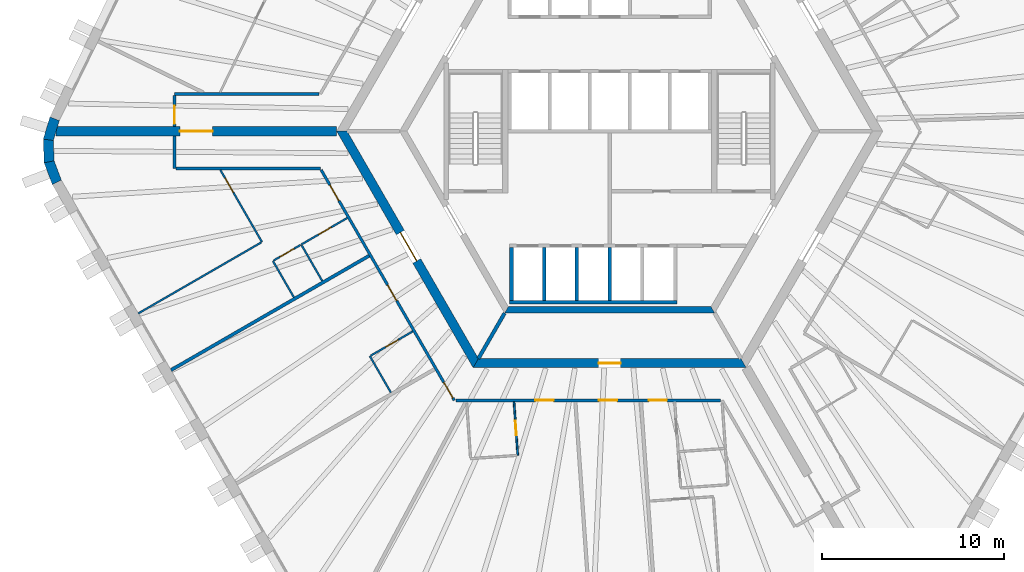
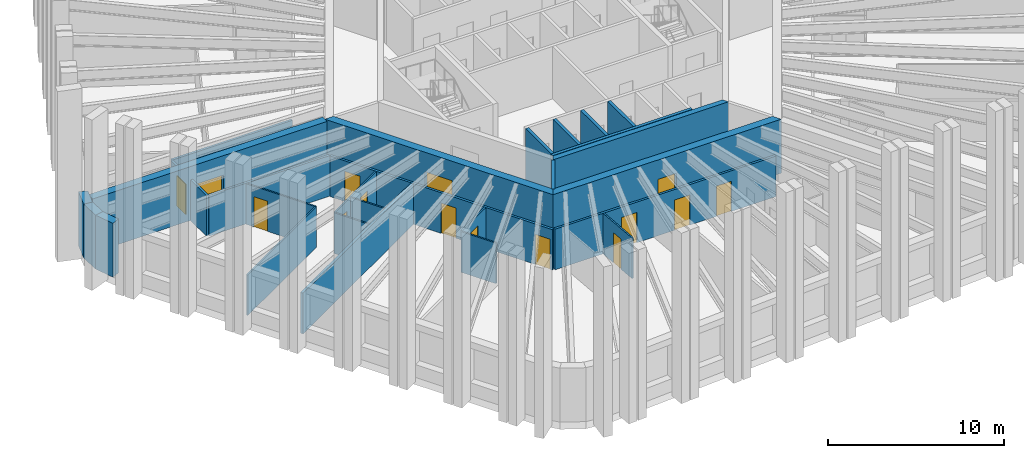
# One storey, part 3 of 10: 29 walls, 15 doors, 15 openings.
"""IFC4 building model written with IfcOpenShell, lengths in metres."""

from ifc_helpers import new_model, si_unit, direction, frame, frame_2d, origin, place, context, subcontext, project, spatial, polyline, rectangle, outline, extrude, material, layer, layer_set, type_object, element, fill, save


model = new_model("IFC4")

# Units and contexts
model_context = context("Model", 3, precision=1e-05, world=origin(), true_north=direction((0.0, 1.0)))
body_context = subcontext(model_context, "Body", "Model", "MODEL_VIEW")
ifc_project = project(units=[si_unit("LENGTHUNIT", "METRE"), si_unit("AREAUNIT", "SQUARE_METRE"), si_unit("VOLUMEUNIT", "CUBIC_METRE"), si_unit("PLANEANGLEUNIT", "RADIAN"), si_unit("MASSUNIT", "GRAM", prefix="KILO")], contexts=[model_context])

# Site, building, storey
site_placement = place(None, origin())
site = spatial("IfcSite", under=ifc_project, at=site_placement, CompositionType="ELEMENT")
building_placement = place(site_placement, origin())
building = spatial("IfcBuilding", under=site, at=building_placement, Name="Tarnside Tower", CompositionType="ELEMENT")
storey_placement = place(building_placement, frame((0.0, 0.0, 152.699951171875)))
storey = spatial("IfcBuildingStorey", under=building, at=storey_placement, Name="L35", CompositionType="ELEMENT", Elevation=152.699951171875)

# Wall, opening, door
ifc_material_1 = material(Name="Gypsum board partition on steel studs", Category="steel")
ifc_layer_1 = layer(ifc_material_1, 0.10009765625)
ifc_layer_set_1 = layer_set([ifc_layer_1], Name="Bathroom wall 100")
wall_type_1 = type_object("IfcWallType", Name="Bathroom wall 100", PredefinedType="PARTITIONING", material=ifc_layer_set_1)
wall_1_placement = place(storey_placement, frame((-16.956298828125, -6.230712890625, 0.0), z_axis=(0.0, 0.0, 1.0), x_axis=(0.866046596414, 0.499963291492, 0.0)))
wall_1 = element("IfcWall", 1, at=wall_1_placement, inside=storey, type_object=wall_type_1, Name="Bathroom wall 11066", PredefinedType="PARTITIONING", context=body_context, shape_type="SweptSolid", body=[
    extrude(rectangle(XDim=2.925048828125, YDim=0.10009765625, at=frame_2d((1.46240234375, 0.0))), origin(), (0.0, 0.0, 1.0), 2.823486328125),
])
opening_1_placement = place(wall_1_placement, frame((1.10009765625, 0.0, 0.0)))
opening_1 = element("IfcOpeningElement", 2, at=opening_1_placement, cuts=wall_1, Name="Opening D-B1", PredefinedType="OPENING", context=body_context, shape_type="SweptSolid", body=[
    extrude(rectangle(XDim=0.800048828125, YDim=2.10009765625, at=frame_2d((0.39990234375, 1.050048828125))), frame((0.0, 0.06005859375, 0.0), z_axis=(0.0, -1.0, 0.0), x_axis=(1.0, 0.0, 0.0)), (0.0, 0.0, 1.0), 0.1201171875),
])
ifc_material_2 = material(Name="Timber door leaf", Category="wood")
door_type_1 = type_object("IfcDoorType", Name="Bathroom door 800", OperationType="NOTDEFINED", PredefinedType="DOOR", material=ifc_material_2)
door_1_placement = place(opening_1_placement, origin())
door_1 = element("IfcDoor", 3, at=door_1_placement, inside=storey, type_object=door_type_1, Name="Bathroom door 11012", OperationType="SINGLE_SWING_LEFT", OverallHeight=2.10009765625, OverallWidth=0.800048828125, PredefinedType="DOOR", context=body_context, shape_type="SweptSolid", body=[
    extrude(rectangle(XDim=0.800048828125, YDim=2.10009765625, at=frame_2d((0.39990234375, 1.050048828125))), frame((0.0, 0.02490234375, 0.0), z_axis=(0.0, -1.0, 0.0), x_axis=(1.0, 0.0, 0.0)), (0.0, 0.0, 1.0), 0.050048828125),
])
fill(opening_1, door_1)

# Walls
wall_2_placement = place(storey_placement, frame((-16.931396484375, -6.274169921875, 0.0), z_axis=(0.0, 0.0, 1.0), x_axis=(0.500077800282, -0.865980481111, 0.0)))
element("IfcWall", 4, at=wall_2_placement, inside=storey, type_object=wall_type_1, Name="Bathroom wall 11072", PredefinedType="PARTITIONING", context=body_context, shape_type="SweptSolid", body=[
    extrude(rectangle(XDim=2.260009765625, YDim=0.10009765625, at=frame_2d((1.1298828125, 0.0))), origin(), (0.0, 0.0, 1.0), 2.823486328125),
])
wall_3_placement = place(storey_placement, frame((-12.028076171875, -14.36669921875, 0.0), z_axis=(0.0, 0.0, 1.0), x_axis=(-0.500015210774, 0.866016621662, 0.0)))
element("IfcWall", 5, at=wall_3_placement, inside=storey, type_object=wall_type_1, Name="Bathroom wall 11075", PredefinedType="PARTITIONING", context=body_context, shape_type="SweptSolid", body=[
    extrude(rectangle(XDim=2.31005859375, YDim=0.10009765625, at=frame_2d((1.155029296875, 0.0))), origin(), (0.0, 0.0, 1.0), 2.823486328125),
])

# Wall, opening, door
wall_4_placement = place(storey_placement, frame((-13.139892578125, -12.341064453125, 0.0), z_axis=(0.0, 0.0, 1.0), x_axis=(0.86604424267, 0.499967368674, 0.0)))
wall_4 = element("IfcWall", 6, at=wall_4_placement, inside=storey, type_object=wall_type_1, Name="Bathroom wall 11076", PredefinedType="PARTITIONING", context=body_context, shape_type="SweptSolid", body=[
    extrude(rectangle(XDim=2.675048828125, YDim=0.10009765625, at=frame_2d((1.33740234375, 0.0))), origin(), (0.0, 0.0, 1.0), 2.823486328125),
])
opening_2_placement = place(wall_4_placement, frame((0.949951171875, 0.0, 0.0)))
opening_2 = element("IfcOpeningElement", 7, at=opening_2_placement, cuts=wall_4, Name="Opening D-B1", PredefinedType="OPENING", context=body_context, shape_type="SweptSolid", body=[
    extrude(rectangle(XDim=0.800048828125, YDim=2.10009765625, at=frame_2d((0.39990234375, 1.050048828125))), frame((0.0, 0.06005859375, 0.0), z_axis=(0.0, -1.0, 0.0), x_axis=(1.0, 0.0, 0.0)), (0.0, 0.0, 1.0), 0.1201171875),
])
door_2_placement = place(opening_2_placement, origin())
door_2 = element("IfcDoor", 8, at=door_2_placement, inside=storey, type_object=door_type_1, Name="Bathroom door 11016", OperationType="SINGLE_SWING_RIGHT", OverallHeight=2.10009765625, OverallWidth=0.800048828125, PredefinedType="DOOR", context=body_context, shape_type="SweptSolid", body=[
    extrude(rectangle(XDim=0.800048828125, YDim=2.10009765625, at=frame_2d((0.39990234375, 1.050048828125))), frame((0.0, 0.02490234375, 0.0), z_axis=(0.0, -1.0, 0.0), x_axis=(1.0, 0.0, 0.0)), (0.0, 0.0, 1.0), 0.050048828125),
])
fill(opening_2, door_2)

wall_5_placement = place(storey_placement, frame((-5.2578125, -14.875, 0.0), z_axis=(0.0, 0.0, 1.0), x_axis=(0.069812665072, -0.997560119389, 0.0)))
wall_5 = element("IfcWall", 9, at=wall_5_placement, inside=storey, type_object=wall_type_1, Name="Bathroom wall 11080", PredefinedType="PARTITIONING", context=body_context, shape_type="SweptSolid", body=[
    extrude(rectangle(XDim=2.951416015625, YDim=0.10009765625, at=frame_2d((1.4755859375, 0.0))), origin(), (0.0, 0.0, 1.0), 2.823486328125),
])
opening_3_placement = place(wall_5_placement, frame((1.051513671875, 0.0, 0.0)))
opening_3 = element("IfcOpeningElement", 10, at=opening_3_placement, cuts=wall_5, Name="Opening D-B1", PredefinedType="OPENING", context=body_context, shape_type="SweptSolid", body=[
    extrude(rectangle(XDim=0.800048828125, YDim=2.10009765625, at=frame_2d((0.39990234375, 1.050048828125))), frame((0.0, 0.06005859375, 0.0), z_axis=(0.0, -1.0, 0.0), x_axis=(1.0, 0.0, 0.0)), (0.0, 0.0, 1.0), 0.1201171875),
])
door_3_placement = place(opening_3_placement, origin())
door_3 = element("IfcDoor", 11, at=door_3_placement, inside=storey, type_object=door_type_1, Name="Bathroom door 11019", OperationType="SINGLE_SWING_LEFT", OverallHeight=2.10009765625, OverallWidth=0.800048828125, PredefinedType="DOOR", context=body_context, shape_type="SweptSolid", body=[
    extrude(rectangle(XDim=0.800048828125, YDim=2.10009765625, at=frame_2d((0.39990234375, 1.050048828125))), frame((0.0, 0.02490234375, 0.0), z_axis=(0.0, -1.0, 0.0), x_axis=(1.0, 0.0, 0.0)), (0.0, 0.0, 1.0), 0.050048828125),
])
fill(opening_3, door_3)

# Wall
ifc_material_3 = material(Name="Concrete C50/60", Category="concrete")
ifc_layer_2 = layer(ifc_material_3, 0.35009765625)
ifc_layer_set_2 = layer_set([ifc_layer_2], Name="Core block wall 350 C50/60")
wall_type_2 = type_object("IfcWallType", Name="Core block wall 350 C50/60", PredefinedType="SHEAR", material=ifc_layer_set_2)
wall_6_placement = place(storey_placement, frame((-5.672607421875, -9.824951171875, 0.0), z_axis=(0.0, 0.0, 1.0), x_axis=(1.0, 0.0, 0.0)))
element("IfcWall", 12, at=wall_6_placement, inside=storey, type_object=wall_type_2, Name="L35 core block wall face 4", PredefinedType="SHEAR", context=body_context, shape_type="SweptSolid", body=[
    extrude(outline(polyline([(-0.10107421875, -0.175048828125), (11.4462890625, -0.175048828125), (11.244140625, 0.175048828125), (0.10107421875, 0.175048828125), (-0.10107421875, -0.175048828125)])), origin(), (0.0, 0.0, 1.0), 3.75),
])

# Wall, opening, door
ifc_material_4 = material(Name="Concrete C70/85", Category="concrete")
ifc_layer_3 = layer(ifc_material_4, 0.5)
ifc_layer_set_3 = layer_set([ifc_layer_3], Name="Core wall Z2 500 C70/85")
wall_type_3 = type_object("IfcWallType", Name="Core wall Z2 500 C70/85", PredefinedType="SHEAR", material=ifc_layer_set_3)
wall_7_placement = place(storey_placement, frame((-14.722412109375, 0.0, 0.0), z_axis=(0.0, 0.0, 1.0), x_axis=(0.50000571537, -0.866022103989, 0.0)))
wall_7 = element("IfcWall", 13, at=wall_7_placement, inside=storey, type_object=wall_type_3, Name="L35 core wall face 3", PredefinedType="SHEAR", context=body_context, shape_type="SweptSolid", body=[
    extrude(outline(polyline([(-0.144287109375, -0.25), (14.86669921875, -0.25), (14.578125, 0.25), (0.144287109375, 0.25), (-0.144287109375, -0.25)])), origin(), (0.0, 0.0, 1.0), 3.75),
])
opening_4_placement = place(wall_7_placement, frame((6.432373046875, 0.0, 0.0)))
opening_4 = element("IfcOpeningElement", 14, at=opening_4_placement, cuts=wall_7, Name="Opening CD-FFL", PredefinedType="OPENING", context=body_context, shape_type="SweptSolid", body=[
    extrude(rectangle(XDim=1.800048828125, YDim=2.39990234375, at=frame_2d((0.89990234375, 1.199951171875))), frame((0.0, 0.260009765625, 0.0), z_axis=(0.0, -1.0, 0.0), x_axis=(1.0, 0.0, 0.0)), (0.0, 0.0, 1.0), 0.52001953125),
])
ifc_material_5 = material(Name="Steel fire door", Category="steel")
door_type_2 = type_object("IfcDoorType", Name="Firefighting lobby double door FD60S 1800x2400", OperationType="NOTDEFINED", PredefinedType="DOOR", material=ifc_material_5)
door_4_placement = place(opening_4_placement, origin())
door_4 = element("IfcDoor", 15, at=door_4_placement, inside=storey, type_object=door_type_2, Name="L35 core door P3", OperationType="DOUBLE_DOOR_SINGLE_SWING", OverallHeight=2.39990234375, OverallWidth=1.800048828125, PredefinedType="DOOR", context=body_context, shape_type="SweptSolid", body=[
    extrude(rectangle(XDim=1.800048828125, YDim=2.39990234375, at=frame_2d((0.89990234375, 1.199951171875))), frame((0.0, 0.02490234375, 0.0), z_axis=(0.0, -1.0, 0.0), x_axis=(1.0, 0.0, 0.0)), (0.0, 0.0, 1.0), 0.050048828125),
])
fill(opening_4, door_4)

wall_8_placement = place(storey_placement, frame((-7.361083984375, -12.75, 0.0), z_axis=(0.0, 0.0, 1.0), x_axis=(1.0, 0.0, 0.0)))
wall_8 = element("IfcWall", 16, at=wall_8_placement, inside=storey, type_object=wall_type_3, Name="L35 core wall face 4", PredefinedType="SHEAR", context=body_context, shape_type="SweptSolid", body=[
    extrude(outline(polyline([(-0.144287109375, -0.25), (14.866455078125, -0.25), (14.577880859375, 0.25), (0.144287109375, 0.25), (-0.144287109375, -0.25)])), origin(), (0.0, 0.0, 1.0), 3.75),
])
opening_5_placement = place(wall_8_placement, frame((6.76123046875, 0.0, 0.0)))
opening_5 = element("IfcOpeningElement", 17, at=opening_5_placement, cuts=wall_8, Name="Opening CD-RSR", PredefinedType="OPENING", context=body_context, shape_type="SweptSolid", body=[
    extrude(rectangle(XDim=1.199951171875, YDim=2.39990234375, at=frame_2d((0.60009765625, 1.199951171875))), frame((0.0, 0.260009765625, 0.0), z_axis=(0.0, -1.0, 0.0), x_axis=(1.0, 0.0, 0.0)), (0.0, 0.0, 1.0), 0.52001953125),
])
door_type_3 = type_object("IfcDoorType", Name="Riser door FD60 1200x2400", OperationType="NOTDEFINED", PredefinedType="DOOR", material=ifc_material_5)
door_5_placement = place(opening_5_placement, origin())
door_5 = element("IfcDoor", 18, at=door_5_placement, inside=storey, type_object=door_type_3, Name="L35 core door S6", OperationType="SINGLE_SWING_LEFT", OverallHeight=2.39990234375, OverallWidth=1.199951171875, PredefinedType="DOOR", context=body_context, shape_type="SweptSolid", body=[
    extrude(rectangle(XDim=1.199951171875, YDim=2.39990234375, at=frame_2d((0.60009765625, 1.199951171875))), frame((0.0, 0.02490234375, 0.0), z_axis=(0.0, -1.0, 0.0), x_axis=(1.0, 0.0, 0.0)), (0.0, 0.0, 1.0), 0.050048828125),
])
fill(opening_5, door_5)

wall_9_placement = place(storey_placement, frame((-15.010986328125, 0.0, 0.0), z_axis=(0.0, 0.0, 1.0), x_axis=(-1.0, 0.0, 0.0)))
wall_9 = element("IfcWall", 19, at=wall_9_placement, inside=storey, type_object=wall_type_3, Name="L35 spine wall 2", PredefinedType="SHEAR", context=body_context, shape_type="SweptSolid", body=[
    extrude(rectangle(XDim=15.423828125, YDim=0.5, at=frame_2d((7.7119140625, 0.0))), origin(), (0.0, 0.0, 1.0), 3.75),
])
opening_6_placement = place(wall_9_placement, frame((6.811767578125, 0.0, 0.0)))
opening_6 = element("IfcOpeningElement", 20, at=opening_6_placement, cuts=wall_9, Name="Opening CD-SPN", PredefinedType="OPENING", context=body_context, shape_type="SweptSolid", body=[
    extrude(rectangle(XDim=1.800048828125, YDim=2.39990234375, at=frame_2d((0.89990234375, 1.199951171875))), frame((0.0, 0.260009765625, 0.0), z_axis=(0.0, -1.0, 0.0), x_axis=(1.0, 0.0, 0.0)), (0.0, 0.0, 1.0), 0.52001953125),
])
door_type_4 = type_object("IfcDoorType", Name="Spine passage double door FD60 1800x2400", OperationType="NOTDEFINED", PredefinedType="DOOR", material=ifc_material_5)
door_6_placement = place(opening_6_placement, origin())
door_6 = element("IfcDoor", 21, at=door_6_placement, inside=storey, type_object=door_type_4, Name="L35 spine passage door 2", OperationType="DOUBLE_DOOR_SINGLE_SWING", OverallHeight=2.39990234375, OverallWidth=1.800048828125, PredefinedType="DOOR", context=body_context, shape_type="SweptSolid", body=[
    extrude(rectangle(XDim=1.800048828125, YDim=2.39990234375, at=frame_2d((0.89990234375, 1.199951171875))), frame((0.0, 0.02490234375, 0.0), z_axis=(0.0, -1.0, 0.0), x_axis=(1.0, 0.0, 0.0)), (0.0, 0.0, 1.0), 0.050048828125),
])
fill(opening_6, door_6)

# Wall
ifc_layer_4 = layer(ifc_material_1, 0.14990234375)
ifc_layer_set_4 = layer_set([ifc_layer_4], Name="Corridor wall 150 EI 60")
wall_type_4 = type_object("IfcWallType", Name="Corridor wall 150 EI 60", PredefinedType="PARTITIONING", material=ifc_layer_set_4)
wall_10_placement = place(storey_placement, frame((-15.99267578125, 2.050048828125, 0.0), z_axis=(0.0, 0.0, 1.0), x_axis=(-1.0, 0.0, 0.0)))
element("IfcWall", 22, at=wall_10_placement, inside=storey, type_object=wall_type_4, Name="Corridor wall 11011", PredefinedType="PARTITIONING", context=body_context, shape_type="SweptSolid", body=[
    extrude(rectangle(XDim=7.93017578125, YDim=0.14990234375, at=frame_2d((3.965087890625, 0.0))), origin(), (0.0, 0.0, 1.0), 2.823486328125),
])

# Wall, opening, door
wall_11_placement = place(storey_placement, frame((-23.9228515625, 1.97509765625, 0.0), z_axis=(0.0, 0.0, 1.0), x_axis=(0.0, -1.0, 0.0)))
wall_11 = element("IfcWall", 23, at=wall_11_placement, inside=storey, type_object=wall_type_4, Name="Corridor wall 11015", PredefinedType="PARTITIONING", context=body_context, shape_type="SweptSolid", body=[
    extrude(rectangle(XDim=1.72509765625, YDim=0.14990234375, at=frame_2d((0.862548828125, 0.0))), origin(), (0.0, 0.0, 1.0), 2.823486328125),
])
opening_7_placement = place(wall_11_placement, frame((0.574951171875, 0.0, 0.0)))
opening_7 = element("IfcOpeningElement", 24, at=opening_7_placement, cuts=wall_11, Name="Opening D-E1", PredefinedType="OPENING", context=body_context, shape_type="SweptSolid", body=[
    extrude(rectangle(XDim=1.0, YDim=2.10009765625, at=frame_2d((0.5, 1.050048828125))), frame((0.0, 0.0849609375, 0.0), z_axis=(0.0, -1.0, 0.0), x_axis=(1.0, 0.0, 0.0)), (0.0, 0.0, 1.0), 0.169921875),
])
door_type_5 = type_object("IfcDoorType", Name="Unit entrance door 1000 FD30S", OperationType="NOTDEFINED", PredefinedType="DOOR", material=ifc_material_2)
door_7_placement = place(opening_7_placement, origin())
door_7 = element("IfcDoor", 25, at=door_7_placement, inside=storey, type_object=door_type_5, Name="Unit door 11010", OperationType="SINGLE_SWING_LEFT", OverallHeight=2.10009765625, OverallWidth=1.0, PredefinedType="DOOR", context=body_context, shape_type="SweptSolid", body=[
    extrude(rectangle(XDim=1.0, YDim=2.10009765625, at=frame_2d((0.5, 1.050048828125))), frame((0.0, 0.02490234375, 0.0), z_axis=(0.0, -1.0, 0.0), x_axis=(1.0, 0.0, 0.0)), (0.0, 0.0, 1.0), 0.050048828125),
])
fill(opening_7, door_7)

# Wall
wall_12_placement = place(storey_placement, frame((-23.847900390625, -2.050048828125, 0.0), z_axis=(0.0, 0.0, 1.0), x_axis=(1.0, 0.0, 0.0)))
element("IfcWall", 26, at=wall_12_placement, inside=storey, type_object=wall_type_4, Name="Corridor wall 11016", PredefinedType="PARTITIONING", context=body_context, shape_type="SweptSolid", body=[
    extrude(rectangle(XDim=7.94189453125, YDim=0.14990234375, at=frame_2d((3.970947265625, 0.0))), origin(), (0.0, 0.0, 1.0), 2.823486328125),
])

# Wall, openings, doors
wall_13_placement = place(storey_placement, frame((-15.86279296875, -2.125, 0.0), z_axis=(0.0, 0.0, 1.0), x_axis=(0.500008833422, -0.866020303746, 0.0)))
wall_13 = element("IfcWall", 27, at=wall_13_placement, inside=storey, type_object=wall_type_4, Name="Corridor wall 11017", PredefinedType="PARTITIONING", context=body_context, shape_type="SweptSolid", body=[
    extrude(rectangle(XDim=14.635986328125, YDim=0.14990234375, at=frame_2d((7.31787109375, 0.0))), origin(), (0.0, 0.0, 1.0), 2.823486328125),
])
opening_8_placement = place(wall_13_placement, frame((0.961181640625, 0.0, 0.0)))
opening_8 = element("IfcOpeningElement", 28, at=opening_8_placement, cuts=wall_13, Name="Opening D-E1", PredefinedType="OPENING", context=body_context, shape_type="SweptSolid", body=[
    extrude(rectangle(XDim=1.0, YDim=2.10009765625, at=frame_2d((0.5, 1.050048828125))), frame((0.0, 0.0849609375, 0.0), z_axis=(0.0, -1.0, 0.0), x_axis=(1.0, 0.0, 0.0)), (0.0, 0.0, 1.0), 0.169921875),
])
opening_9_placement = place(wall_13_placement, frame((7.308837890625, 0.0, 0.0)))
opening_9 = element("IfcOpeningElement", 29, at=opening_9_placement, cuts=wall_13, Name="Opening D-E1", PredefinedType="OPENING", context=body_context, shape_type="SweptSolid", body=[
    extrude(rectangle(XDim=1.0, YDim=2.10009765625, at=frame_2d((0.5, 1.050048828125))), frame((0.0, 0.0849609375, 0.0), z_axis=(0.0, -1.0, 0.0), x_axis=(1.0, 0.0, 0.0)), (0.0, 0.0, 1.0), 0.169921875),
])
opening_10_placement = place(wall_13_placement, frame((13.48583984375, 0.0, 0.0)))
opening_10 = element("IfcOpeningElement", 30, at=opening_10_placement, cuts=wall_13, Name="Opening D-E1", PredefinedType="OPENING", context=body_context, shape_type="SweptSolid", body=[
    extrude(rectangle(XDim=1.0, YDim=2.10009765625, at=frame_2d((0.5, 1.050048828125))), frame((0.0, 0.0849609375, 0.0), z_axis=(0.0, -1.0, 0.0), x_axis=(1.0, 0.0, 0.0)), (0.0, 0.0, 1.0), 0.169921875),
])
door_8_placement = place(opening_8_placement, origin())
door_8 = element("IfcDoor", 31, at=door_8_placement, inside=storey, type_object=door_type_5, Name="Unit door 11011", OperationType="SINGLE_SWING_RIGHT", OverallHeight=2.10009765625, OverallWidth=1.0, PredefinedType="DOOR", context=body_context, shape_type="SweptSolid", body=[
    extrude(rectangle(XDim=1.0, YDim=2.10009765625, at=frame_2d((0.5, 1.050048828125))), frame((0.0, 0.02490234375, 0.0), z_axis=(0.0, -1.0, 0.0), x_axis=(1.0, 0.0, 0.0)), (0.0, 0.0, 1.0), 0.050048828125),
])
fill(opening_8, door_8)
door_9_placement = place(opening_9_placement, origin())
door_9 = element("IfcDoor", 32, at=door_9_placement, inside=storey, type_object=door_type_5, Name="Unit door 11015", OperationType="SINGLE_SWING_LEFT", OverallHeight=2.10009765625, OverallWidth=1.0, PredefinedType="DOOR", context=body_context, shape_type="SweptSolid", body=[
    extrude(rectangle(XDim=1.0, YDim=2.10009765625, at=frame_2d((0.5, 1.050048828125))), frame((0.0, 0.02490234375, 0.0), z_axis=(0.0, -1.0, 0.0), x_axis=(1.0, 0.0, 0.0)), (0.0, 0.0, 1.0), 0.050048828125),
])
fill(opening_9, door_9)
door_10_placement = place(opening_10_placement, origin())
door_10 = element("IfcDoor", 33, at=door_10_placement, inside=storey, type_object=door_type_5, Name="Unit door 11017", OperationType="SINGLE_SWING_LEFT", OverallHeight=2.10009765625, OverallWidth=1.0, PredefinedType="DOOR", context=body_context, shape_type="SweptSolid", body=[
    extrude(rectangle(XDim=1.0, YDim=2.10009765625, at=frame_2d((0.5, 1.050048828125))), frame((0.0, 0.02490234375, 0.0), z_axis=(0.0, -1.0, 0.0), x_axis=(1.0, 0.0, 0.0)), (0.0, 0.0, 1.0), 0.050048828125),
])
fill(opening_10, door_10)

# Wall
wall_14_placement = place(storey_placement, frame((-23.9228515625, -0.25, 0.0), z_axis=(0.0, 0.0, 1.0), x_axis=(0.0, -1.0, 0.0)))
element("IfcWall", 34, at=wall_14_placement, inside=storey, type_object=wall_type_4, Name="Corridor wall 11019", PredefinedType="PARTITIONING", context=body_context, shape_type="SweptSolid", body=[
    extrude(rectangle(XDim=1.800048828125, YDim=0.14990234375, at=frame_2d((0.89990234375, 0.0))), origin(), (0.0, 0.0, 1.0), 2.823486328125),
])

# Wall, openings, doors
wall_15_placement = place(storey_placement, frame((-8.458251953125, -14.800048828125, 0.0), z_axis=(0.0, 0.0, 1.0), x_axis=(1.0, 0.0, 0.0)))
wall_15 = element("IfcWall", 35, at=wall_15_placement, inside=storey, type_object=wall_type_4, Name="Corridor wall 11024", PredefinedType="PARTITIONING", context=body_context, shape_type="SweptSolid", body=[
    extrude(rectangle(XDim=14.54931640625, YDim=0.14990234375, at=frame_2d((7.274658203125, 0.0))), origin(), (0.0, 0.0, 1.0), 2.823486328125),
])
opening_11_placement = place(wall_15_placement, frame((4.375244140625, 0.0, 0.0)))
opening_11 = element("IfcOpeningElement", 36, at=opening_11_placement, cuts=wall_15, Name="Opening D-E1", PredefinedType="OPENING", context=body_context, shape_type="SweptSolid", body=[
    extrude(rectangle(XDim=1.0, YDim=2.10009765625, at=frame_2d((0.5, 1.050048828125))), frame((0.0, 0.0849609375, 0.0), z_axis=(0.0, -1.0, 0.0), x_axis=(1.0, 0.0, 0.0)), (0.0, 0.0, 1.0), 0.169921875),
])
opening_12_placement = place(wall_15_placement, frame((7.872314453125, 0.0, 0.0)))
opening_12 = element("IfcOpeningElement", 37, at=opening_12_placement, cuts=wall_15, Name="Opening D-E1", PredefinedType="OPENING", context=body_context, shape_type="SweptSolid", body=[
    extrude(rectangle(XDim=1.0, YDim=2.10009765625, at=frame_2d((0.5, 1.050048828125))), frame((0.0, 0.0849609375, 0.0), z_axis=(0.0, -1.0, 0.0), x_axis=(1.0, 0.0, 0.0)), (0.0, 0.0, 1.0), 0.169921875),
])
opening_13_placement = place(wall_15_placement, frame((10.609375, 0.0, 0.0)))
opening_13 = element("IfcOpeningElement", 38, at=opening_13_placement, cuts=wall_15, Name="Opening D-E1", PredefinedType="OPENING", context=body_context, shape_type="SweptSolid", body=[
    extrude(rectangle(XDim=1.0, YDim=2.10009765625, at=frame_2d((0.5, 1.050048828125))), frame((0.0, 0.0849609375, 0.0), z_axis=(0.0, -1.0, 0.0), x_axis=(1.0, 0.0, 0.0)), (0.0, 0.0, 1.0), 0.169921875),
])
door_11_placement = place(opening_11_placement, origin())
door_11 = element("IfcDoor", 39, at=door_11_placement, inside=storey, type_object=door_type_5, Name="Unit door 11018", OperationType="SINGLE_SWING_LEFT", OverallHeight=2.10009765625, OverallWidth=1.0, PredefinedType="DOOR", context=body_context, shape_type="SweptSolid", body=[
    extrude(rectangle(XDim=1.0, YDim=2.10009765625, at=frame_2d((0.5, 1.050048828125))), frame((0.0, 0.02490234375, 0.0), z_axis=(0.0, -1.0, 0.0), x_axis=(1.0, 0.0, 0.0)), (0.0, 0.0, 1.0), 0.050048828125),
])
fill(opening_11, door_11)
door_12_placement = place(opening_12_placement, origin())
door_12 = element("IfcDoor", 40, at=door_12_placement, inside=storey, type_object=door_type_5, Name="Unit door 11020", OperationType="SINGLE_SWING_RIGHT", OverallHeight=2.10009765625, OverallWidth=1.0, PredefinedType="DOOR", context=body_context, shape_type="SweptSolid", body=[
    extrude(rectangle(XDim=1.0, YDim=2.10009765625, at=frame_2d((0.5, 1.050048828125))), frame((0.0, 0.02490234375, 0.0), z_axis=(0.0, -1.0, 0.0), x_axis=(1.0, 0.0, 0.0)), (0.0, 0.0, 1.0), 0.050048828125),
])
fill(opening_12, door_12)
door_13_placement = place(opening_13_placement, origin())
door_13 = element("IfcDoor", 41, at=door_13_placement, inside=storey, type_object=door_type_5, Name="Unit door 11021", OperationType="SINGLE_SWING_RIGHT", OverallHeight=2.10009765625, OverallWidth=1.0, PredefinedType="DOOR", context=body_context, shape_type="SweptSolid", body=[
    extrude(rectangle(XDim=1.0, YDim=2.10009765625, at=frame_2d((0.5, 1.050048828125))), frame((0.0, 0.02490234375, 0.0), z_axis=(0.0, -1.0, 0.0), x_axis=(1.0, 0.0, 0.0)), (0.0, 0.0, 1.0), 0.050048828125),
])
fill(opening_13, door_13)

# Walls
ifc_layer_5 = layer(ifc_material_1, 0.179931640625)
ifc_layer_set_5 = layer_set([ifc_layer_5], Name="Demising wall 180 EI 60")
wall_type_5 = type_object("IfcWallType", Name="Demising wall 180 EI 60", PredefinedType="PARTITIONING", material=ifc_layer_set_5)
wall_16_placement = place(storey_placement, frame((-24.113525390625, -13.13427734375, 0.0), z_axis=(0.0, 0.0, 1.0), x_axis=(0.866024255907, 0.500001988177, 0.0)))
element("IfcWall", 42, at=wall_16_placement, inside=storey, type_object=wall_type_5, Name="Demising wall 11071", PredefinedType="PARTITIONING", context=body_context, shape_type="SweptSolid", body=[
    extrude(rectangle(XDim=12.5751953125, YDim=0.179931640625, at=frame_2d((6.28759765625, 0.0))), origin(), (0.0, 0.0, 1.0), 2.823486328125),
])
ifc_material_6 = material(Name="Concrete C40/50", Category="concrete")
ifc_layer_6 = layer(ifc_material_6, 0.199951171875)
ifc_layer_set_6 = layer_set([ifc_layer_6], Name="Lift shaft wall 200 C40/50")
wall_type_6 = type_object("IfcWallType", Name="Lift shaft wall 200 C40/50", PredefinedType="SHEAR", material=ifc_layer_set_6)
wall_17_placement = place(storey_placement, frame((-5.5, -9.39990234375, -0.5), z_axis=(0.0, 0.0, 1.0), x_axis=(1.0, 0.0, 0.0)))
element("IfcWall", 43, at=wall_17_placement, inside=storey, type_object=wall_type_6, Name="L35 lift shaft back wall R4", PredefinedType="SHEAR", context=body_context, shape_type="SweptSolid", body=[
    extrude(rectangle(XDim=9.199951171875, YDim=0.199951171875, at=frame_2d((4.60009765625, 0.0))), origin(), (0.0, 0.0, 1.0), 4.150146484375),
])
for number, where, z_axis, x_axis, name in (
    (44, (-5.39990234375, -9.300048828125, -0.5), (0.0, 0.0, 1.0), (0.0, 1.0, 0.0), "L35 lift shaft partition R41"),
    (45, (-3.60009765625, -9.300048828125, -0.5), (0.0, 0.0, 1.0), (0.0, 1.0, 0.0), "L35 lift shaft partition R42"),
    (46, (-1.800048828125, -9.300048828125, -0.5), (0.0, 0.0, 1.0), (0.0, 1.0, 0.0), "L35 lift shaft partition R43"),
    (47, (0.0, -9.300048828125, -0.5), (0.0, 0.0, 1.0), (0.0, 1.0, 0.0), "L35 lift shaft partition R44"),
):
    element("IfcWall", number, at=place(storey_placement, frame(where, z_axis=z_axis, x_axis=x_axis)), inside=storey, type_object=wall_type_6, Name=name, PredefinedType="SHEAR", context=body_context, shape_type="SweptSolid", body=[
        extrude(rectangle(XDim=2.900146484375, YDim=0.199951171875, at=frame_2d((1.4501953125, 0.0))), origin(), (0.0, 0.0, 1.0), 4.150146484375),
    ])
wall_18_placement = place(storey_placement, frame((-5.7734375, -10.0, 0.0), z_axis=(0.0, 0.0, 1.0), x_axis=(-0.499995765644, -0.866027848477, 0.0)))
element("IfcWall", 48, at=wall_18_placement, inside=storey, type_object=wall_type_6, Name="L35 core partition AR240", PredefinedType="SHEAR", context=body_context, shape_type="SweptSolid", body=[
    extrude(rectangle(XDim=2.88671875, YDim=0.199951171875, at=frame_2d((1.443359375, 0.0))), origin(), (0.0, 0.0, 1.0), 3.75),
])
ifc_layer_7 = layer(ifc_material_1, 0.10009765625)
ifc_layer_set_7 = layer_set([ifc_layer_7], Name="Partition 100")
wall_type_7 = type_object("IfcWallType", Name="Partition 100", PredefinedType="PARTITIONING", material=ifc_layer_set_7)
wall_19_placement = place(storey_placement, frame((-17.360107421875, -9.13134765625, 0.0), z_axis=(0.0, 0.0, 1.0), x_axis=(-0.500015210774, 0.866016621662, 0.0)))
element("IfcWall", 49, at=wall_19_placement, inside=storey, type_object=wall_type_7, Name="Partition wall 11067", PredefinedType="PARTITIONING", context=body_context, shape_type="SweptSolid", body=[
    extrude(rectangle(XDim=2.31005859375, YDim=0.10009765625, at=frame_2d((1.155029296875, 0.0))), origin(), (0.0, 0.0, 1.0), 2.823486328125),
])

# Wall, opening, door
wall_20_placement = place(storey_placement, frame((-18.471923828125, -7.105712890625, 0.0), z_axis=(0.0, 0.0, 1.0), x_axis=(0.866087547558, 0.499892348375, 0.0)))
wall_20 = element("IfcWall", 50, at=wall_20_placement, inside=storey, type_object=wall_type_7, Name="Partition wall 11068", PredefinedType="PARTITIONING", context=body_context, shape_type="SweptSolid", body=[
    extrude(rectangle(XDim=1.699951171875, YDim=0.10009765625, at=frame_2d((0.85009765625, 0.0))), origin(), (0.0, 0.0, 1.0), 2.823486328125),
])
opening_14_placement = place(wall_20_placement, frame((0.39990234375, 0.0, 0.0)))
opening_14 = element("IfcOpeningElement", 51, at=opening_14_placement, cuts=wall_20, Name="Opening D-I1", PredefinedType="OPENING", context=body_context, shape_type="SweptSolid", body=[
    extrude(rectangle(XDim=0.89990234375, YDim=2.10009765625, at=frame_2d((0.449951171875, 1.050048828125))), frame((0.0, 0.06005859375, 0.0), z_axis=(0.0, -1.0, 0.0), x_axis=(1.0, 0.0, 0.0)), (0.0, 0.0, 1.0), 0.1201171875),
])
door_type_6 = type_object("IfcDoorType", Name="Internal door 900", OperationType="NOTDEFINED", PredefinedType="DOOR", material=ifc_material_2)
door_14_placement = place(opening_14_placement, origin())
door_14 = element("IfcDoor", 52, at=door_14_placement, inside=storey, type_object=door_type_6, Name="Internal door 11013", OperationType="SINGLE_SWING_RIGHT", OverallHeight=2.10009765625, OverallWidth=0.89990234375, PredefinedType="DOOR", context=body_context, shape_type="SweptSolid", body=[
    extrude(rectangle(XDim=0.89990234375, YDim=2.10009765625, at=frame_2d((0.449951171875, 1.050048828125))), frame((0.0, 0.02490234375, 0.0), z_axis=(0.0, -1.0, 0.0), x_axis=(1.0, 0.0, 0.0)), (0.0, 0.0, 1.0), 0.050048828125),
])
fill(opening_14, door_14)

wall_21_placement = place(storey_placement, frame((-21.4052734375, -2.125, 0.0), z_axis=(0.0, 0.0, 1.0), x_axis=(0.49999161165, -0.866030246746, 0.0)))
wall_21 = element("IfcWall", 53, at=wall_21_placement, inside=storey, type_object=wall_type_7, Name="Partition wall 11069", PredefinedType="PARTITIONING", context=body_context, shape_type="SweptSolid", body=[
    extrude(rectangle(XDim=4.580078125, YDim=0.10009765625, at=frame_2d((2.2900390625, 0.0))), origin(), (0.0, 0.0, 1.0), 2.823486328125),
])
opening_15_placement = place(wall_21_placement, frame((0.5302734375, 0.0, 0.0)))
opening_15 = element("IfcOpeningElement", 54, at=opening_15_placement, cuts=wall_21, Name="Opening D-I1", PredefinedType="OPENING", context=body_context, shape_type="SweptSolid", body=[
    extrude(rectangle(XDim=0.89990234375, YDim=2.10009765625, at=frame_2d((0.449951171875, 1.050048828125))), frame((0.0, 0.06005859375, 0.0), z_axis=(0.0, -1.0, 0.0), x_axis=(1.0, 0.0, 0.0)), (0.0, 0.0, 1.0), 0.1201171875),
])
door_15_placement = place(opening_15_placement, origin())
door_15 = element("IfcDoor", 55, at=door_15_placement, inside=storey, type_object=door_type_6, Name="Internal door 11014", OperationType="SINGLE_SWING_RIGHT", OverallHeight=2.10009765625, OverallWidth=0.89990234375, PredefinedType="DOOR", context=body_context, shape_type="SweptSolid", body=[
    extrude(rectangle(XDim=0.89990234375, YDim=2.10009765625, at=frame_2d((0.449951171875, 1.050048828125))), frame((0.0, 0.02490234375, 0.0), z_axis=(0.0, -1.0, 0.0), x_axis=(1.0, 0.0, 0.0)), (0.0, 0.0, 1.0), 0.050048828125),
])
fill(opening_15, door_15)

# Walls
wall_22_placement = place(storey_placement, frame((-19.158447265625, -6.116455078125, 0.0), z_axis=(0.0, 0.0, 1.0), x_axis=(-0.866021400173, -0.500006934395, 0.0)))
element("IfcWall", 56, at=wall_22_placement, inside=storey, type_object=wall_type_7, Name="Partition wall 11070", PredefinedType="PARTITIONING", context=body_context, shape_type="SweptSolid", body=[
    extrude(rectangle(XDim=7.80029296875, YDim=0.10009765625, at=frame_2d((3.900146484375, 0.0))), origin(), (0.0, 0.0, 1.0), 2.823486328125),
])
ifc_material_7 = material(Name="Facing brick", Category="masonry")
ifc_layer_8 = layer(ifc_material_7, 0.10205078125)
ifc_material_8 = material(Name="Concrete C60/75 precast", Category="concrete")
ifc_layer_9 = layer(ifc_material_8, 0.347900390625)
ifc_material_9 = material(Name="Mineral wool insulation")
ifc_layer_10 = layer(ifc_material_9, 0.10009765625)
ifc_layer_set_8 = layer_set([ifc_layer_8, ifc_layer_9, ifc_layer_10], Name="Tube wall 550 brick faced")
wall_type_8 = type_object("IfcWallType", Name="Tube wall 550 brick faced", PredefinedType="SOLIDWALL", material=ifc_layer_set_8)
wall_23_placement = place(storey_placement, frame((-30.51318359375, 0.684326171875, 0.0), z_axis=(0.0, 0.0, 1.0), x_axis=(-0.286736058109, -0.958009620505, 0.0)))
element("IfcWall", 57, at=wall_23_placement, inside=storey, type_object=wall_type_8, Name="Tube wall L35 F2 chord 05", PredefinedType="SOLIDWALL", context=body_context, shape_type="SweptSolid", body=[
    extrude(outline(polyline([(-0.0224609375, -0.27490234375), (1.25341796875, -0.27490234375), (1.1630859375, 0.27490234375), (0.0224609375, 0.27490234375), (-0.0224609375, -0.27490234375)])), origin(), (0.0, 0.0, 1.0), 3.75),
])
wall_24_placement = place(storey_placement, frame((-30.859619140625, -0.47314453125, 0.0), z_axis=(0.0, 0.0, 1.0), x_axis=(0.03495638276, -0.999388838893, 0.0)))
element("IfcWall", 58, at=wall_24_placement, inside=storey, type_object=wall_type_8, Name="Tube wall L35 F2 chord 06", PredefinedType="SOLIDWALL", context=body_context, shape_type="SweptSolid", body=[
    extrude(outline(polyline([(-0.045166015625, -0.27490234375), (1.25341796875, -0.27490234375), (1.1630859375, 0.27490234375), (0.045166015625, 0.27490234375), (-0.045166015625, -0.27490234375)])), origin(), (0.0, 0.0, 1.0), 3.75),
])
wall_25_placement = place(storey_placement, frame((-30.8173828125, -1.6806640625, 0.0), z_axis=(0.0, 0.0, 1.0), x_axis=(0.352850303963, -0.935679786569, 0.0)))
element("IfcWall", 59, at=wall_25_placement, inside=storey, type_object=wall_type_8, Name="Tube wall L35 F2 chord 07", PredefinedType="SOLIDWALL", context=body_context, shape_type="SweptSolid", body=[
    extrude(outline(polyline([(-0.045166015625, -0.27490234375), (1.23046875, -0.27490234375), (1.185546875, 0.27490234375), (0.045166015625, 0.27490234375), (-0.045166015625, -0.27490234375)])), origin(), (0.0, 0.0, 1.0), 3.75),
])

save(model, "model.ifc")
